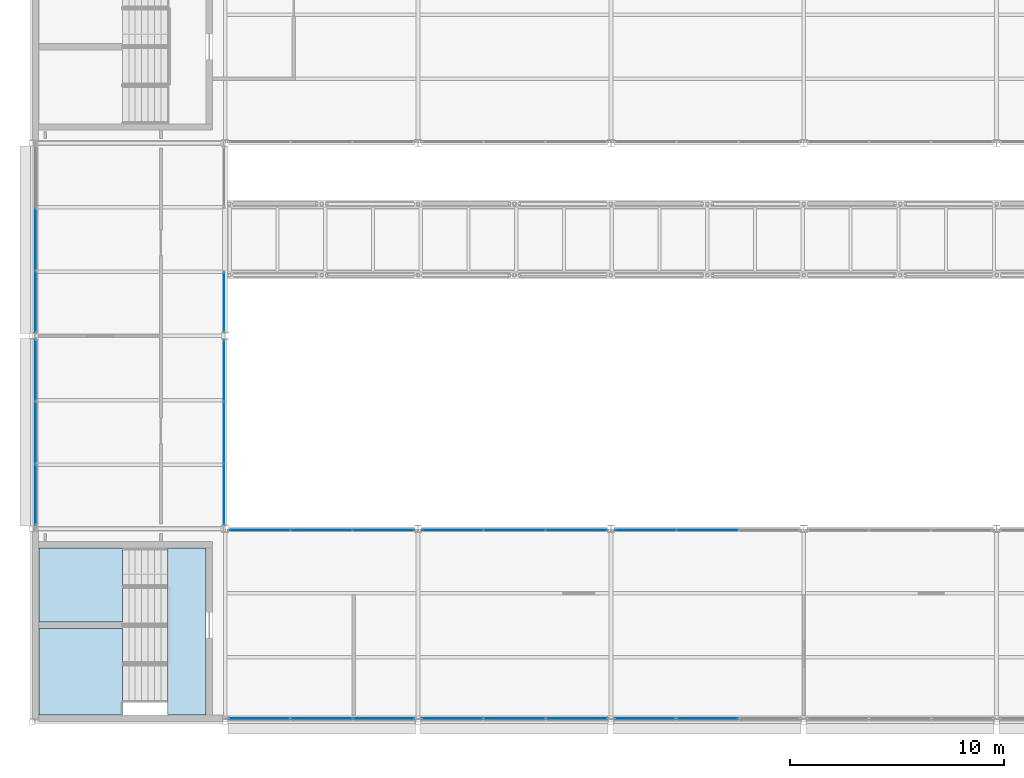
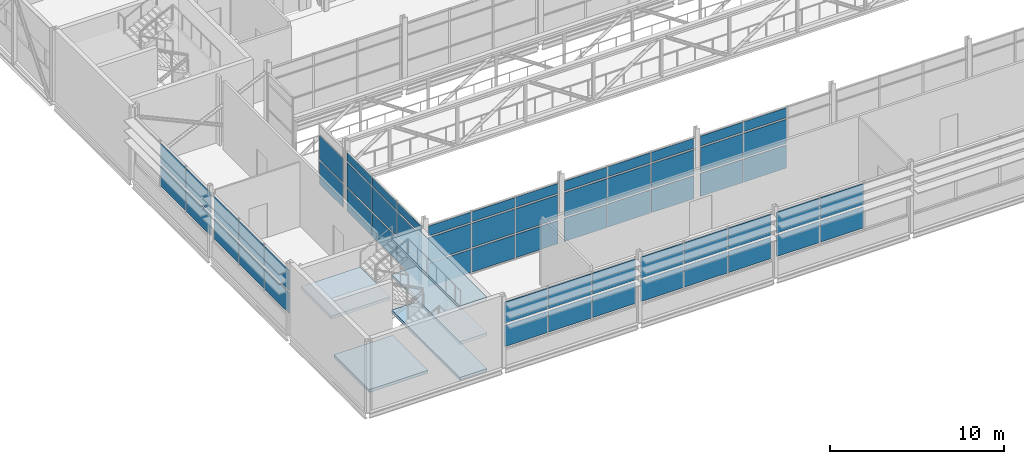
# One storey, part 71 of 94: 61 plates, 5 slabs, 11 elements without a shape of their own.
"""IFC4 building model written with IfcOpenShell, lengths in metres."""

from ifc_helpers import new_model, si_unit, direction, frame, origin, origin_2d, place, context, subcontext, project, spatial, polyline, rectangle, outline, extrude, material, layer, layer_set, type_object, element, aggregate, save


model = new_model("IFC4")

# Units and contexts
model_context = context("Model", 3, precision=1e-05, world=origin(), true_north=direction((0.0, 1.0)))
body_context = subcontext(model_context, "Body", "Model", "MODEL_VIEW")
ifc_project = project(units=[si_unit("LENGTHUNIT", "METRE"), si_unit("AREAUNIT", "SQUARE_METRE"), si_unit("VOLUMEUNIT", "CUBIC_METRE"), si_unit("PLANEANGLEUNIT", "RADIAN"), si_unit("MASSUNIT", "GRAM", prefix="KILO")], contexts=[model_context])

# Site, building, storey
site_placement = place(None, origin())
site = spatial("IfcSite", under=ifc_project, at=site_placement, CompositionType="ELEMENT")
building_placement = place(site_placement, origin())
building = spatial("IfcBuilding", under=site, at=building_placement, Name="Shorebreak Coast Museum", CompositionType="ELEMENT")
storey_placement = place(building_placement, frame((0.0, 0.0, 31.0)))
storey = spatial("IfcBuildingStorey", under=building, at=storey_placement, Name="L05", CompositionType="ELEMENT", Elevation=31.0)

# Curtain wall, plates
ifc_material_1 = material(Name="Aluminium", Category="aluminium")
ifc_layer_1 = layer(ifc_material_1, 0.1201171875)
ifc_layer_set_1 = layer_set([ifc_layer_1], Name="Aluminium")
curtain_wall_type_1 = type_object("IfcCurtainWallType", Name="Atrium fire screen", PredefinedType="NOTDEFINED", material=ifc_layer_set_1)
curtain_wall_1_placement = place(storey_placement, origin())
curtain_wall_1 = element("IfcCurtainWall", 1, at=curtain_wall_1_placement, inside=storey, type_object=curtain_wall_type_1, Name="Atrium screen L05 S 63", PredefinedType="NOTDEFINED")
ifc_material_2 = material(Name="Glass", Category="glass")
ifc_layer_2 = layer(ifc_material_2, 0.034912109375)
ifc_layer_set_2 = layer_set([ifc_layer_2], Name="Glass")
plate_type_1 = type_object("IfcPlateType", Name="Fire-resisting glass panel 35", PredefinedType="CURTAIN_PANEL", material=ifc_layer_set_2)
plate_1_placement = place(storey_placement, frame((64.61474609375, 62.93994140625, 0.119873046875), z_axis=(0.0, 0.0, 1.0), x_axis=(1.0, 0.0, 0.0)))
plate_1 = element("IfcPlate", 2, at=plate_1_placement, type_object=plate_type_1, Name="CW4 panel 1.1", PredefinedType="CURTAIN_PANEL", context=body_context, shape_type="SweptSolid", body=[
    extrude(rectangle(XDim=2.82275390625, YDim=0.034912109375, at=origin_2d()), origin(), (0.0, 0.0, 1.0), 1.6201171875),
])
plate_2_placement = place(storey_placement, frame((64.61474609375, 62.93994140625, 1.85986328125), z_axis=(0.0, 0.0, 1.0), x_axis=(1.0, 0.0, 0.0)))
plate_2 = element("IfcPlate", 3, at=plate_2_placement, type_object=plate_type_1, Name="CW4 panel 1.2", PredefinedType="CURTAIN_PANEL", context=body_context, shape_type="SweptSolid", body=[
    extrude(rectangle(XDim=2.82275390625, YDim=0.034912109375, at=origin_2d()), origin(), (0.0, 0.0, 1.0), 1.679931640625),
])
plate_3_placement = place(storey_placement, frame((64.61474609375, 62.93994140625, 3.659912109375), z_axis=(0.0, 0.0, 1.0), x_axis=(1.0, 0.0, 0.0)))
plate_3 = element("IfcPlate", 4, at=plate_3_placement, type_object=plate_type_1, Name="CW4 panel 1.3", PredefinedType="CURTAIN_PANEL", context=body_context, shape_type="SweptSolid", body=[
    extrude(rectangle(XDim=2.82275390625, YDim=0.034912109375, at=origin_2d()), origin(), (0.0, 0.0, 1.0), 0.689453125),
])
plate_4_placement = place(storey_placement, frame((67.5, 62.93994140625, 0.119873046875), z_axis=(0.0, 0.0, 1.0), x_axis=(1.0, 0.0, 0.0)))
plate_4 = element("IfcPlate", 5, at=plate_4_placement, type_object=plate_type_1, Name="CW4 panel 2.1", PredefinedType="CURTAIN_PANEL", context=body_context, shape_type="SweptSolid", body=[
    extrude(rectangle(XDim=2.84765625, YDim=0.034912109375, at=origin_2d()), origin(), (0.0, 0.0, 1.0), 1.6201171875),
])
plate_5_placement = place(storey_placement, frame((67.5, 62.93994140625, 1.85986328125), z_axis=(0.0, 0.0, 1.0), x_axis=(1.0, 0.0, 0.0)))
plate_5 = element("IfcPlate", 6, at=plate_5_placement, type_object=plate_type_1, Name="CW4 panel 2.2", PredefinedType="CURTAIN_PANEL", context=body_context, shape_type="SweptSolid", body=[
    extrude(rectangle(XDim=2.84765625, YDim=0.034912109375, at=origin_2d()), origin(), (0.0, 0.0, 1.0), 1.679931640625),
])
plate_6_placement = place(storey_placement, frame((67.5, 62.93994140625, 3.659912109375), z_axis=(0.0, 0.0, 1.0), x_axis=(1.0, 0.0, 0.0)))
plate_6 = element("IfcPlate", 7, at=plate_6_placement, type_object=plate_type_1, Name="CW4 panel 2.3", PredefinedType="CURTAIN_PANEL", context=body_context, shape_type="SweptSolid", body=[
    extrude(rectangle(XDim=2.84765625, YDim=0.034912109375, at=origin_2d()), origin(), (0.0, 0.0, 1.0), 0.689453125),
])
plate_7_placement = place(storey_placement, frame((70.38525390625, 62.93994140625, 0.119873046875), z_axis=(0.0, 0.0, 1.0), x_axis=(1.0, 0.0, 0.0)))
plate_7 = element("IfcPlate", 8, at=plate_7_placement, type_object=plate_type_1, Name="CW4 panel 3.1", PredefinedType="CURTAIN_PANEL", context=body_context, shape_type="SweptSolid", body=[
    extrude(rectangle(XDim=2.82275390625, YDim=0.034912109375, at=origin_2d()), origin(), (0.0, 0.0, 1.0), 1.6201171875),
])
plate_8_placement = place(storey_placement, frame((70.38525390625, 62.93994140625, 1.85986328125), z_axis=(0.0, 0.0, 1.0), x_axis=(1.0, 0.0, 0.0)))
plate_8 = element("IfcPlate", 9, at=plate_8_placement, type_object=plate_type_1, Name="CW4 panel 3.2", PredefinedType="CURTAIN_PANEL", context=body_context, shape_type="SweptSolid", body=[
    extrude(rectangle(XDim=2.82275390625, YDim=0.034912109375, at=origin_2d()), origin(), (0.0, 0.0, 1.0), 1.679931640625),
])
plate_9_placement = place(storey_placement, frame((70.38525390625, 62.93994140625, 3.659912109375), z_axis=(0.0, 0.0, 1.0), x_axis=(1.0, 0.0, 0.0)))
plate_9 = element("IfcPlate", 10, at=plate_9_placement, type_object=plate_type_1, Name="CW4 panel 3.3", PredefinedType="CURTAIN_PANEL", context=body_context, shape_type="SweptSolid", body=[
    extrude(rectangle(XDim=2.82275390625, YDim=0.034912109375, at=origin_2d()), origin(), (0.0, 0.0, 1.0), 0.689453125),
])
aggregate(curtain_wall_1, [plate_1, plate_2, plate_3, plate_4, plate_5, plate_6, plate_7, plate_8, plate_9])

curtain_wall_2_placement = place(storey_placement, origin())
curtain_wall_2 = element("IfcCurtainWall", 11, at=curtain_wall_2_placement, inside=storey, type_object=curtain_wall_type_1, Name="Atrium screen L05 S 64", PredefinedType="NOTDEFINED")
plate_10_placement = place(storey_placement, frame((73.61474609375, 62.93994140625, 0.119873046875), z_axis=(0.0, 0.0, 1.0), x_axis=(1.0, 0.0, 0.0)))
plate_10 = element("IfcPlate", 12, at=plate_10_placement, type_object=plate_type_1, Name="CW5 panel 1.1", PredefinedType="CURTAIN_PANEL", context=body_context, shape_type="SweptSolid", body=[
    extrude(rectangle(XDim=2.82275390625, YDim=0.034912109375, at=origin_2d()), origin(), (0.0, 0.0, 1.0), 1.6201171875),
])
plate_11_placement = place(storey_placement, frame((73.61474609375, 62.93994140625, 1.85986328125), z_axis=(0.0, 0.0, 1.0), x_axis=(1.0, 0.0, 0.0)))
plate_11 = element("IfcPlate", 13, at=plate_11_placement, type_object=plate_type_1, Name="CW5 panel 1.2", PredefinedType="CURTAIN_PANEL", context=body_context, shape_type="SweptSolid", body=[
    extrude(rectangle(XDim=2.82275390625, YDim=0.034912109375, at=origin_2d()), origin(), (0.0, 0.0, 1.0), 1.679931640625),
])
plate_12_placement = place(storey_placement, frame((73.61474609375, 62.93994140625, 3.659912109375), z_axis=(0.0, 0.0, 1.0), x_axis=(1.0, 0.0, 0.0)))
plate_12 = element("IfcPlate", 14, at=plate_12_placement, type_object=plate_type_1, Name="CW5 panel 1.3", PredefinedType="CURTAIN_PANEL", context=body_context, shape_type="SweptSolid", body=[
    extrude(rectangle(XDim=2.82275390625, YDim=0.034912109375, at=origin_2d()), origin(), (0.0, 0.0, 1.0), 0.689453125),
])
plate_13_placement = place(storey_placement, frame((76.5, 62.93994140625, 0.119873046875), z_axis=(0.0, 0.0, 1.0), x_axis=(1.0, 0.0, 0.0)))
plate_13 = element("IfcPlate", 15, at=plate_13_placement, type_object=plate_type_1, Name="CW5 panel 2.1", PredefinedType="CURTAIN_PANEL", context=body_context, shape_type="SweptSolid", body=[
    extrude(rectangle(XDim=2.84765625, YDim=0.034912109375, at=origin_2d()), origin(), (0.0, 0.0, 1.0), 1.6201171875),
])
plate_14_placement = place(storey_placement, frame((76.5, 62.93994140625, 1.85986328125), z_axis=(0.0, 0.0, 1.0), x_axis=(1.0, 0.0, 0.0)))
plate_14 = element("IfcPlate", 16, at=plate_14_placement, type_object=plate_type_1, Name="CW5 panel 2.2", PredefinedType="CURTAIN_PANEL", context=body_context, shape_type="SweptSolid", body=[
    extrude(rectangle(XDim=2.84765625, YDim=0.034912109375, at=origin_2d()), origin(), (0.0, 0.0, 1.0), 1.679931640625),
])
plate_15_placement = place(storey_placement, frame((76.5, 62.93994140625, 3.659912109375), z_axis=(0.0, 0.0, 1.0), x_axis=(1.0, 0.0, 0.0)))
plate_15 = element("IfcPlate", 17, at=plate_15_placement, type_object=plate_type_1, Name="CW5 panel 2.3", PredefinedType="CURTAIN_PANEL", context=body_context, shape_type="SweptSolid", body=[
    extrude(rectangle(XDim=2.84765625, YDim=0.034912109375, at=origin_2d()), origin(), (0.0, 0.0, 1.0), 0.689453125),
])
plate_16_placement = place(storey_placement, frame((79.38525390625, 62.93994140625, 0.119873046875), z_axis=(0.0, 0.0, 1.0), x_axis=(1.0, 0.0, 0.0)))
plate_16 = element("IfcPlate", 18, at=plate_16_placement, type_object=plate_type_1, Name="CW5 panel 3.1", PredefinedType="CURTAIN_PANEL", context=body_context, shape_type="SweptSolid", body=[
    extrude(rectangle(XDim=2.82275390625, YDim=0.034912109375, at=origin_2d()), origin(), (0.0, 0.0, 1.0), 1.6201171875),
])
plate_17_placement = place(storey_placement, frame((79.38525390625, 62.93994140625, 1.85986328125), z_axis=(0.0, 0.0, 1.0), x_axis=(1.0, 0.0, 0.0)))
plate_17 = element("IfcPlate", 19, at=plate_17_placement, type_object=plate_type_1, Name="CW5 panel 3.2", PredefinedType="CURTAIN_PANEL", context=body_context, shape_type="SweptSolid", body=[
    extrude(rectangle(XDim=2.82275390625, YDim=0.034912109375, at=origin_2d()), origin(), (0.0, 0.0, 1.0), 1.679931640625),
])
plate_18_placement = place(storey_placement, frame((79.38525390625, 62.93994140625, 3.659912109375), z_axis=(0.0, 0.0, 1.0), x_axis=(1.0, 0.0, 0.0)))
plate_18 = element("IfcPlate", 20, at=plate_18_placement, type_object=plate_type_1, Name="CW5 panel 3.3", PredefinedType="CURTAIN_PANEL", context=body_context, shape_type="SweptSolid", body=[
    extrude(rectangle(XDim=2.82275390625, YDim=0.034912109375, at=origin_2d()), origin(), (0.0, 0.0, 1.0), 0.689453125),
])
aggregate(curtain_wall_2, [plate_10, plate_11, plate_12, plate_13, plate_14, plate_15, plate_16, plate_17, plate_18])

curtain_wall_3_placement = place(storey_placement, origin())
curtain_wall_3 = element("IfcCurtainWall", 21, at=curtain_wall_3_placement, inside=storey, type_object=curtain_wall_type_1, Name="Atrium screen L05 S 65", PredefinedType="NOTDEFINED")
plate_19_placement = place(storey_placement, frame((82.61474609375, 62.93994140625, 0.119873046875), z_axis=(0.0, 0.0, 1.0), x_axis=(1.0, 0.0, 0.0)))
plate_19 = element("IfcPlate", 22, at=plate_19_placement, type_object=plate_type_1, Name="CW6 panel 1.1", PredefinedType="CURTAIN_PANEL", context=body_context, shape_type="SweptSolid", body=[
    extrude(rectangle(XDim=2.82275390625, YDim=0.034912109375, at=origin_2d()), origin(), (0.0, 0.0, 1.0), 1.6201171875),
])
plate_20_placement = place(storey_placement, frame((82.61474609375, 62.93994140625, 1.85986328125), z_axis=(0.0, 0.0, 1.0), x_axis=(1.0, 0.0, 0.0)))
plate_20 = element("IfcPlate", 23, at=plate_20_placement, type_object=plate_type_1, Name="CW6 panel 1.2", PredefinedType="CURTAIN_PANEL", context=body_context, shape_type="SweptSolid", body=[
    extrude(rectangle(XDim=2.82275390625, YDim=0.034912109375, at=origin_2d()), origin(), (0.0, 0.0, 1.0), 1.679931640625),
])
plate_21_placement = place(storey_placement, frame((82.61474609375, 62.93994140625, 3.659912109375), z_axis=(0.0, 0.0, 1.0), x_axis=(1.0, 0.0, 0.0)))
plate_21 = element("IfcPlate", 24, at=plate_21_placement, type_object=plate_type_1, Name="CW6 panel 1.3", PredefinedType="CURTAIN_PANEL", context=body_context, shape_type="SweptSolid", body=[
    extrude(rectangle(XDim=2.82275390625, YDim=0.034912109375, at=origin_2d()), origin(), (0.0, 0.0, 1.0), 0.689453125),
])
plate_22_placement = place(storey_placement, frame((85.5, 62.93994140625, 0.119873046875), z_axis=(0.0, 0.0, 1.0), x_axis=(1.0, 0.0, 0.0)))
plate_22 = element("IfcPlate", 25, at=plate_22_placement, type_object=plate_type_1, Name="CW6 panel 2.1", PredefinedType="CURTAIN_PANEL", context=body_context, shape_type="SweptSolid", body=[
    extrude(rectangle(XDim=2.84765625, YDim=0.034912109375, at=origin_2d()), origin(), (0.0, 0.0, 1.0), 1.6201171875),
])
plate_23_placement = place(storey_placement, frame((85.5, 62.93994140625, 1.85986328125), z_axis=(0.0, 0.0, 1.0), x_axis=(1.0, 0.0, 0.0)))
plate_23 = element("IfcPlate", 26, at=plate_23_placement, type_object=plate_type_1, Name="CW6 panel 2.2", PredefinedType="CURTAIN_PANEL", context=body_context, shape_type="SweptSolid", body=[
    extrude(rectangle(XDim=2.84765625, YDim=0.034912109375, at=origin_2d()), origin(), (0.0, 0.0, 1.0), 1.679931640625),
])
plate_24_placement = place(storey_placement, frame((85.5, 62.93994140625, 3.659912109375), z_axis=(0.0, 0.0, 1.0), x_axis=(1.0, 0.0, 0.0)))
plate_24 = element("IfcPlate", 27, at=plate_24_placement, type_object=plate_type_1, Name="CW6 panel 2.3", PredefinedType="CURTAIN_PANEL", context=body_context, shape_type="SweptSolid", body=[
    extrude(rectangle(XDim=2.84765625, YDim=0.034912109375, at=origin_2d()), origin(), (0.0, 0.0, 1.0), 0.689453125),
])
aggregate(curtain_wall_3, [plate_19, plate_20, plate_21, plate_22, plate_23, plate_24])

curtain_wall_4_placement = place(storey_placement, origin())
curtain_wall_4 = element("IfcCurtainWall", 28, at=curtain_wall_4_placement, inside=storey, type_object=curtain_wall_type_1, Name="Atrium screen L05 W 73", PredefinedType="NOTDEFINED")
plate_25_placement = place(storey_placement, frame((62.93994140625, 64.6162109375, 0.119873046875), z_axis=(0.0, 0.0, 1.0), x_axis=(0.0, 1.0, 0.0)))
plate_25 = element("IfcPlate", 29, at=plate_25_placement, type_object=plate_type_1, Name="CW5 panel 1.1", PredefinedType="CURTAIN_PANEL", context=body_context, shape_type="SweptSolid", body=[
    extrude(rectangle(XDim=2.818115234375, YDim=0.034912109375, at=origin_2d()), origin(), (0.0, 0.0, 1.0), 1.6201171875),
])
plate_26_placement = place(storey_placement, frame((62.93994140625, 64.6162109375, 1.85986328125), z_axis=(0.0, 0.0, 1.0), x_axis=(0.0, 1.0, 0.0)))
plate_26 = element("IfcPlate", 30, at=plate_26_placement, type_object=plate_type_1, Name="CW5 panel 1.2", PredefinedType="CURTAIN_PANEL", context=body_context, shape_type="SweptSolid", body=[
    extrude(rectangle(XDim=2.818115234375, YDim=0.034912109375, at=origin_2d()), origin(), (0.0, 0.0, 1.0), 1.679931640625),
])
plate_27_placement = place(storey_placement, frame((62.93994140625, 64.6162109375, 3.66015625), z_axis=(0.0, 0.0, 1.0), x_axis=(0.0, 1.0, 0.0)))
plate_27 = element("IfcPlate", 31, at=plate_27_placement, type_object=plate_type_1, Name="CW5 panel 1.3", PredefinedType="CURTAIN_PANEL", context=body_context, shape_type="SweptSolid", body=[
    extrude(rectangle(XDim=2.818115234375, YDim=0.034912109375, at=origin_2d()), origin(), (0.0, 0.0, 1.0), 0.584716796875),
])
plate_28_placement = place(storey_placement, frame((62.93994140625, 67.496826171875, 0.119873046875), z_axis=(0.0, 0.0, 1.0), x_axis=(0.0, 1.0, 0.0)))
plate_28 = element("IfcPlate", 32, at=plate_28_placement, type_object=plate_type_1, Name="CW5 panel 2.1", PredefinedType="CURTAIN_PANEL", context=body_context, shape_type="SweptSolid", body=[
    extrude(rectangle(XDim=2.843017578125, YDim=0.034912109375, at=origin_2d()), origin(), (0.0, 0.0, 1.0), 1.6201171875),
])
plate_29_placement = place(storey_placement, frame((62.93994140625, 67.496826171875, 1.85986328125), z_axis=(0.0, 0.0, 1.0), x_axis=(0.0, 1.0, 0.0)))
plate_29 = element("IfcPlate", 33, at=plate_29_placement, type_object=plate_type_1, Name="CW5 panel 2.2", PredefinedType="CURTAIN_PANEL", context=body_context, shape_type="SweptSolid", body=[
    extrude(rectangle(XDim=2.843017578125, YDim=0.034912109375, at=origin_2d()), origin(), (0.0, 0.0, 1.0), 1.679931640625),
])
plate_30_placement = place(storey_placement, frame((62.93994140625, 67.496826171875, 3.66015625), z_axis=(0.0, 0.0, 1.0), x_axis=(0.0, 1.0, 0.0)))
plate_30 = element("IfcPlate", 34, at=plate_30_placement, type_object=plate_type_1, Name="CW5 panel 2.3", PredefinedType="CURTAIN_PANEL", context=body_context, shape_type="SweptSolid", body=[
    extrude(rectangle(XDim=2.843017578125, YDim=0.034912109375, at=origin_2d()), origin(), (0.0, 0.0, 1.0), 0.584716796875),
])
plate_31_placement = place(storey_placement, frame((62.93994140625, 70.37744140625, 0.119873046875), z_axis=(0.0, 0.0, 1.0), x_axis=(0.0, 1.0, 0.0)))
plate_31 = element("IfcPlate", 35, at=plate_31_placement, type_object=plate_type_1, Name="CW5 panel 3.1", PredefinedType="CURTAIN_PANEL", context=body_context, shape_type="SweptSolid", body=[
    extrude(rectangle(XDim=2.818115234375, YDim=0.034912109375, at=origin_2d()), origin(), (0.0, 0.0, 1.0), 1.6201171875),
])
plate_32_placement = place(storey_placement, frame((62.93994140625, 70.37744140625, 1.85986328125), z_axis=(0.0, 0.0, 1.0), x_axis=(0.0, 1.0, 0.0)))
plate_32 = element("IfcPlate", 36, at=plate_32_placement, type_object=plate_type_1, Name="CW5 panel 3.2", PredefinedType="CURTAIN_PANEL", context=body_context, shape_type="SweptSolid", body=[
    extrude(rectangle(XDim=2.818115234375, YDim=0.034912109375, at=origin_2d()), origin(), (0.0, 0.0, 1.0), 1.679931640625),
])
plate_33_placement = place(storey_placement, frame((62.93994140625, 70.37744140625, 3.66015625), z_axis=(0.0, 0.0, 1.0), x_axis=(0.0, 1.0, 0.0)))
plate_33 = element("IfcPlate", 37, at=plate_33_placement, type_object=plate_type_1, Name="CW5 panel 3.3", PredefinedType="CURTAIN_PANEL", context=body_context, shape_type="SweptSolid", body=[
    extrude(rectangle(XDim=2.818115234375, YDim=0.034912109375, at=origin_2d()), origin(), (0.0, 0.0, 1.0), 0.584716796875),
])
aggregate(curtain_wall_4, [plate_25, plate_26, plate_27, plate_28, plate_29, plate_30, plate_31, plate_32, plate_33])

curtain_wall_5_placement = place(storey_placement, origin())
curtain_wall_5 = element("IfcCurtainWall", 38, at=curtain_wall_5_placement, inside=storey, type_object=curtain_wall_type_1, Name="Atrium screen L05 W 74", PredefinedType="NOTDEFINED")
plate_34_placement = place(storey_placement, frame((62.93994140625, 73.581787109375, 0.119873046875), z_axis=(0.0, 0.0, 1.0), x_axis=(0.0, 1.0, 0.0)))
plate_34 = element("IfcPlate", 39, at=plate_34_placement, type_object=plate_type_1, Name="CW6 panel 1.1", PredefinedType="CURTAIN_PANEL", context=body_context, shape_type="SweptSolid", body=[
    extrude(rectangle(XDim=2.736328125, YDim=0.034912109375, at=origin_2d()), origin(), (0.0, 0.0, 1.0), 1.6201171875),
])
plate_35_placement = place(storey_placement, frame((62.93994140625, 73.581787109375, 1.85986328125), z_axis=(0.0, 0.0, 1.0), x_axis=(0.0, 1.0, 0.0)))
plate_35 = element("IfcPlate", 40, at=plate_35_placement, type_object=plate_type_1, Name="CW6 panel 1.2", PredefinedType="CURTAIN_PANEL", context=body_context, shape_type="SweptSolid", body=[
    extrude(rectangle(XDim=2.736328125, YDim=0.034912109375, at=origin_2d()), origin(), (0.0, 0.0, 1.0), 1.679931640625),
])
aggregate(curtain_wall_5, [plate_34, plate_35])

# Stair, slabs
ifc_material_3 = material(Name="Concrete N40 (40 MPa)", Category="concrete")
stair_type = type_object("IfcStairType", Name="Stair run 5 m", PredefinedType="DOUBLE_RETURN_STAIR", material=ifc_material_3)
stair_placement = place(storey_placement, origin())
stair = element("IfcStair", 41, at=stair_placement, inside=storey, type_object=stair_type, Name="Exit stair ST01-L05", PredefinedType="DOUBLE_RETURN_STAIR")
ifc_material_4 = material(Name="Concrete N40 (40 MPa)", Category="concrete")
ifc_layer_3 = layer(ifc_material_4, 0.199951171875)
ifc_layer_set_3 = layer_set([ifc_layer_3], Name="Concrete N40 (40 MPa)")
slab_type = type_object("IfcSlabType", Name="Stair landing 200", PredefinedType="LANDING", material=ifc_layer_set_3)
slab_1_placement = place(storey_placement, frame((0.0, 0.0, -0.199951171875)))
slab_1 = element("IfcSlab", 42, at=slab_1_placement, type_object=slab_type, Name="ST01-L05 landing 1", PredefinedType="LANDING", context=body_context, shape_type="SweptSolid", body=[
    extrude(outline(polyline([(60.300048828125, 54.300048828125), (62.10009765625, 54.300048828125), (62.10009765625, 62.10009765625), (60.300048828125, 62.10009765625), (60.300048828125, 54.300048828125)])), origin(), (0.0, 0.0, 1.0), 0.199951171875),
])
slab_2_placement = place(storey_placement, frame((0.0, 0.0, 2.300048828125)))
slab_2 = element("IfcSlab", 43, at=slab_2_placement, type_object=slab_type, Name="ST01-L05 landing 2", PredefinedType="LANDING", context=body_context, shape_type="SweptSolid", body=[
    extrude(outline(polyline([(60.300048828125, 54.300048828125), (62.10009765625, 54.300048828125), (62.10009765625, 62.10009765625), (60.300048828125, 62.10009765625), (60.300048828125, 54.300048828125)])), origin(), (0.0, 0.0, 1.0), 0.199951171875),
])
slab_3_placement = place(storey_placement, frame((0.0, 0.0, 1.050048828125)))
slab_3 = element("IfcSlab", 44, at=slab_3_placement, type_object=slab_type, Name="ST01-L05 landing 3", PredefinedType="LANDING", context=body_context, shape_type="SweptSolid", body=[
    extrude(outline(polyline([(54.300048828125, 54.300048828125), (58.199951171875, 54.300048828125), (58.199951171875, 58.35009765625), (54.300048828125, 58.35009765625), (54.300048828125, 54.300048828125)])), origin(), (0.0, 0.0, 1.0), 0.199951171875),
])
slab_4_placement = place(storey_placement, frame((0.0, 0.0, 3.550048828125)))
slab_4 = element("IfcSlab", 45, at=slab_4_placement, type_object=slab_type, Name="ST01-L05 landing 4", PredefinedType="LANDING", context=body_context, shape_type="SweptSolid", body=[
    extrude(outline(polyline([(54.300048828125, 58.64990234375), (58.199951171875, 58.64990234375), (58.199951171875, 62.10009765625), (54.300048828125, 62.10009765625), (54.300048828125, 58.64990234375)])), origin(), (0.0, 0.0, 1.0), 0.199951171875),
])
slab_5_placement = place(storey_placement, frame((0.0, 0.0, 4.800048828125)))
slab_5 = element("IfcSlab", 46, at=slab_5_placement, type_object=slab_type, Name="ST01-L05 landing 5", PredefinedType="LANDING", context=body_context, shape_type="SweptSolid", body=[
    extrude(outline(polyline([(60.300048828125, 54.300048828125), (62.10009765625, 54.300048828125), (62.10009765625, 62.10009765625), (60.300048828125, 62.10009765625), (60.300048828125, 54.300048828125)])), origin(), (0.0, 0.0, 1.0), 0.199951171875),
])
aggregate(stair, [slab_1, slab_2, slab_3, slab_4, slab_5])

# Curtain wall, plates
ifc_material_5 = material(Name="Aluminium", Category="aluminium")
ifc_layer_4 = layer(ifc_material_5, 0.14990234375)
ifc_layer_set_4 = layer_set([ifc_layer_4], Name="Aluminium")
curtain_wall_type_2 = type_object("IfcCurtainWallType", Name="Storefront curtain wall", PredefinedType="NOTDEFINED", material=ifc_layer_set_4)
curtain_wall_6_placement = place(storey_placement, origin())
curtain_wall_6 = element("IfcCurtainWall", 47, at=curtain_wall_6_placement, inside=storey, type_object=curtain_wall_type_2, Name="Atrium Hall glazing L05 S 13", PredefinedType="NOTDEFINED")
ifc_material_6 = material(Name="Glass", Category="glass")
ifc_layer_5 = layer(ifc_material_6, 0.031982421875)
ifc_layer_set_5 = layer_set([ifc_layer_5], Name="Glass")
plate_type_2 = type_object("IfcPlateType", Name="Storefront glass panel 32", PredefinedType="CURTAIN_PANEL", material=ifc_layer_set_5)
plate_36_placement = place(storey_placement, frame((64.595947265625, 54.14990234375, 1.25), z_axis=(0.0, 0.0, 1.0), x_axis=(1.0, 0.0, 0.0)))
plate_36 = element("IfcPlate", 48, at=plate_36_placement, type_object=plate_type_2, Name="CW5 panel 1.1", PredefinedType="CURTAIN_PANEL", context=body_context, shape_type="SweptSolid", body=[
    extrude(rectangle(XDim=2.841552734375, YDim=0.031982421875, at=origin_2d()), origin(), (0.0, 0.0, 1.0), 1.48388671875),
])
plate_37_placement = place(storey_placement, frame((64.595947265625, 54.14990234375, 2.8837890625), z_axis=(0.0, 0.0, 1.0), x_axis=(1.0, 0.0, 0.0)))
plate_37 = element("IfcPlate", 49, at=plate_37_placement, type_object=plate_type_2, Name="CW5 panel 1.2", PredefinedType="CURTAIN_PANEL", context=body_context, shape_type="SweptSolid", body=[
    extrude(rectangle(XDim=2.841552734375, YDim=0.031982421875, at=origin_2d()), origin(), (0.0, 0.0, 1.0), 1.48388671875),
])
plate_38_placement = place(storey_placement, frame((67.5, 54.14990234375, 1.25), z_axis=(0.0, 0.0, 1.0), x_axis=(1.0, 0.0, 0.0)))
plate_38 = element("IfcPlate", 50, at=plate_38_placement, type_object=plate_type_2, Name="CW5 panel 2.1", PredefinedType="CURTAIN_PANEL", context=body_context, shape_type="SweptSolid", body=[
    extrude(rectangle(XDim=2.86669921875, YDim=0.031982421875, at=origin_2d()), origin(), (0.0, 0.0, 1.0), 1.48388671875),
])
plate_39_placement = place(storey_placement, frame((67.5, 54.14990234375, 2.8837890625), z_axis=(0.0, 0.0, 1.0), x_axis=(1.0, 0.0, 0.0)))
plate_39 = element("IfcPlate", 51, at=plate_39_placement, type_object=plate_type_2, Name="CW5 panel 2.2", PredefinedType="CURTAIN_PANEL", context=body_context, shape_type="SweptSolid", body=[
    extrude(rectangle(XDim=2.86669921875, YDim=0.031982421875, at=origin_2d()), origin(), (0.0, 0.0, 1.0), 1.48388671875),
])
plate_40_placement = place(storey_placement, frame((70.404052734375, 54.14990234375, 1.25), z_axis=(0.0, 0.0, 1.0), x_axis=(1.0, 0.0, 0.0)))
plate_40 = element("IfcPlate", 52, at=plate_40_placement, type_object=plate_type_2, Name="CW5 panel 3.1", PredefinedType="CURTAIN_PANEL", context=body_context, shape_type="SweptSolid", body=[
    extrude(rectangle(XDim=2.841552734375, YDim=0.031982421875, at=origin_2d()), origin(), (0.0, 0.0, 1.0), 1.48388671875),
])
plate_41_placement = place(storey_placement, frame((70.404052734375, 54.14990234375, 2.8837890625), z_axis=(0.0, 0.0, 1.0), x_axis=(1.0, 0.0, 0.0)))
plate_41 = element("IfcPlate", 53, at=plate_41_placement, type_object=plate_type_2, Name="CW5 panel 3.2", PredefinedType="CURTAIN_PANEL", context=body_context, shape_type="SweptSolid", body=[
    extrude(rectangle(XDim=2.841552734375, YDim=0.031982421875, at=origin_2d()), origin(), (0.0, 0.0, 1.0), 1.48388671875),
])
aggregate(curtain_wall_6, [plate_36, plate_37, plate_38, plate_39, plate_40, plate_41])

curtain_wall_7_placement = place(storey_placement, origin())
curtain_wall_7 = element("IfcCurtainWall", 54, at=curtain_wall_7_placement, inside=storey, type_object=curtain_wall_type_2, Name="Atrium Hall glazing L05 S 14", PredefinedType="NOTDEFINED")
plate_42_placement = place(storey_placement, frame((73.595947265625, 54.14990234375, 1.25), z_axis=(0.0, 0.0, 1.0), x_axis=(1.0, 0.0, 0.0)))
plate_42 = element("IfcPlate", 55, at=plate_42_placement, type_object=plate_type_2, Name="CW5 panel 1.1", PredefinedType="CURTAIN_PANEL", context=body_context, shape_type="SweptSolid", body=[
    extrude(rectangle(XDim=2.841552734375, YDim=0.031982421875, at=origin_2d()), origin(), (0.0, 0.0, 1.0), 1.48388671875),
])
plate_43_placement = place(storey_placement, frame((73.595947265625, 54.14990234375, 2.8837890625), z_axis=(0.0, 0.0, 1.0), x_axis=(1.0, 0.0, 0.0)))
plate_43 = element("IfcPlate", 56, at=plate_43_placement, type_object=plate_type_2, Name="CW5 panel 1.2", PredefinedType="CURTAIN_PANEL", context=body_context, shape_type="SweptSolid", body=[
    extrude(rectangle(XDim=2.841552734375, YDim=0.031982421875, at=origin_2d()), origin(), (0.0, 0.0, 1.0), 1.48388671875),
])
plate_44_placement = place(storey_placement, frame((76.5, 54.14990234375, 1.25), z_axis=(0.0, 0.0, 1.0), x_axis=(1.0, 0.0, 0.0)))
plate_44 = element("IfcPlate", 57, at=plate_44_placement, type_object=plate_type_2, Name="CW5 panel 2.1", PredefinedType="CURTAIN_PANEL", context=body_context, shape_type="SweptSolid", body=[
    extrude(rectangle(XDim=2.86669921875, YDim=0.031982421875, at=origin_2d()), origin(), (0.0, 0.0, 1.0), 1.48388671875),
])
plate_45_placement = place(storey_placement, frame((76.5, 54.14990234375, 2.8837890625), z_axis=(0.0, 0.0, 1.0), x_axis=(1.0, 0.0, 0.0)))
plate_45 = element("IfcPlate", 58, at=plate_45_placement, type_object=plate_type_2, Name="CW5 panel 2.2", PredefinedType="CURTAIN_PANEL", context=body_context, shape_type="SweptSolid", body=[
    extrude(rectangle(XDim=2.86669921875, YDim=0.031982421875, at=origin_2d()), origin(), (0.0, 0.0, 1.0), 1.48388671875),
])
plate_46_placement = place(storey_placement, frame((79.404052734375, 54.14990234375, 1.25), z_axis=(0.0, 0.0, 1.0), x_axis=(1.0, 0.0, 0.0)))
plate_46 = element("IfcPlate", 59, at=plate_46_placement, type_object=plate_type_2, Name="CW5 panel 3.1", PredefinedType="CURTAIN_PANEL", context=body_context, shape_type="SweptSolid", body=[
    extrude(rectangle(XDim=2.841552734375, YDim=0.031982421875, at=origin_2d()), origin(), (0.0, 0.0, 1.0), 1.48388671875),
])
plate_47_placement = place(storey_placement, frame((79.404052734375, 54.14990234375, 2.8837890625), z_axis=(0.0, 0.0, 1.0), x_axis=(1.0, 0.0, 0.0)))
plate_47 = element("IfcPlate", 60, at=plate_47_placement, type_object=plate_type_2, Name="CW5 panel 3.2", PredefinedType="CURTAIN_PANEL", context=body_context, shape_type="SweptSolid", body=[
    extrude(rectangle(XDim=2.841552734375, YDim=0.031982421875, at=origin_2d()), origin(), (0.0, 0.0, 1.0), 1.48388671875),
])
aggregate(curtain_wall_7, [plate_42, plate_43, plate_44, plate_45, plate_46, plate_47])

curtain_wall_8_placement = place(storey_placement, origin())
curtain_wall_8 = element("IfcCurtainWall", 61, at=curtain_wall_8_placement, inside=storey, type_object=curtain_wall_type_2, Name="Atrium Hall glazing L05 S 15", PredefinedType="NOTDEFINED")
plate_48_placement = place(storey_placement, frame((82.595947265625, 54.14990234375, 1.25), z_axis=(0.0, 0.0, 1.0), x_axis=(1.0, 0.0, 0.0)))
plate_48 = element("IfcPlate", 62, at=plate_48_placement, type_object=plate_type_2, Name="CW5 panel 1.1", PredefinedType="CURTAIN_PANEL", context=body_context, shape_type="SweptSolid", body=[
    extrude(rectangle(XDim=2.841552734375, YDim=0.031982421875, at=origin_2d()), origin(), (0.0, 0.0, 1.0), 1.48388671875),
])
plate_49_placement = place(storey_placement, frame((82.595947265625, 54.14990234375, 2.8837890625), z_axis=(0.0, 0.0, 1.0), x_axis=(1.0, 0.0, 0.0)))
plate_49 = element("IfcPlate", 63, at=plate_49_placement, type_object=plate_type_2, Name="CW5 panel 1.2", PredefinedType="CURTAIN_PANEL", context=body_context, shape_type="SweptSolid", body=[
    extrude(rectangle(XDim=2.841552734375, YDim=0.031982421875, at=origin_2d()), origin(), (0.0, 0.0, 1.0), 1.48388671875),
])
plate_50_placement = place(storey_placement, frame((85.5, 54.14990234375, 1.25), z_axis=(0.0, 0.0, 1.0), x_axis=(1.0, 0.0, 0.0)))
plate_50 = element("IfcPlate", 64, at=plate_50_placement, type_object=plate_type_2, Name="CW5 panel 2.1", PredefinedType="CURTAIN_PANEL", context=body_context, shape_type="SweptSolid", body=[
    extrude(rectangle(XDim=2.86669921875, YDim=0.031982421875, at=origin_2d()), origin(), (0.0, 0.0, 1.0), 1.48388671875),
])
plate_51_placement = place(storey_placement, frame((85.5, 54.14990234375, 2.8837890625), z_axis=(0.0, 0.0, 1.0), x_axis=(1.0, 0.0, 0.0)))
plate_51 = element("IfcPlate", 65, at=plate_51_placement, type_object=plate_type_2, Name="CW5 panel 2.2", PredefinedType="CURTAIN_PANEL", context=body_context, shape_type="SweptSolid", body=[
    extrude(rectangle(XDim=2.86669921875, YDim=0.031982421875, at=origin_2d()), origin(), (0.0, 0.0, 1.0), 1.48388671875),
])
aggregate(curtain_wall_8, [plate_48, plate_49, plate_50, plate_51])

curtain_wall_9_placement = place(storey_placement, origin())
curtain_wall_9 = element("IfcCurtainWall", 66, at=curtain_wall_9_placement, inside=storey, type_object=curtain_wall_type_2, Name="Atrium Hall glazing L05 W 18", PredefinedType="NOTDEFINED")
plate_52_placement = place(storey_placement, frame((54.14990234375, 64.595947265625, 1.25), z_axis=(0.0, 0.0, 1.0), x_axis=(0.0, 1.0, 0.0)))
plate_52 = element("IfcPlate", 67, at=plate_52_placement, type_object=plate_type_2, Name="CW5 panel 1.1", PredefinedType="CURTAIN_PANEL", context=body_context, shape_type="SweptSolid", body=[
    extrude(rectangle(XDim=2.841552734375, YDim=0.031982421875, at=origin_2d()), origin(), (0.0, 0.0, 1.0), 1.434326171875),
])
plate_53_placement = place(storey_placement, frame((54.14990234375, 64.595947265625, 2.83447265625), z_axis=(0.0, 0.0, 1.0), x_axis=(0.0, 1.0, 0.0)))
plate_53 = element("IfcPlate", 68, at=plate_53_placement, type_object=plate_type_2, Name="CW5 panel 1.2", PredefinedType="CURTAIN_PANEL", context=body_context, shape_type="SweptSolid", body=[
    extrude(rectangle(XDim=2.841552734375, YDim=0.031982421875, at=origin_2d()), origin(), (0.0, 0.0, 1.0), 1.434326171875),
])
plate_54_placement = place(storey_placement, frame((54.14990234375, 67.5, 1.25), z_axis=(0.0, 0.0, 1.0), x_axis=(0.0, 1.0, 0.0)))
plate_54 = element("IfcPlate", 69, at=plate_54_placement, type_object=plate_type_2, Name="CW5 panel 2.1", PredefinedType="CURTAIN_PANEL", context=body_context, shape_type="SweptSolid", body=[
    extrude(rectangle(XDim=2.86669921875, YDim=0.031982421875, at=origin_2d()), origin(), (0.0, 0.0, 1.0), 1.434326171875),
])
plate_55_placement = place(storey_placement, frame((54.14990234375, 67.5, 2.83447265625), z_axis=(0.0, 0.0, 1.0), x_axis=(0.0, 1.0, 0.0)))
plate_55 = element("IfcPlate", 70, at=plate_55_placement, type_object=plate_type_2, Name="CW5 panel 2.2", PredefinedType="CURTAIN_PANEL", context=body_context, shape_type="SweptSolid", body=[
    extrude(rectangle(XDim=2.86669921875, YDim=0.031982421875, at=origin_2d()), origin(), (0.0, 0.0, 1.0), 1.434326171875),
])
plate_56_placement = place(storey_placement, frame((54.14990234375, 70.404052734375, 1.25), z_axis=(0.0, 0.0, 1.0), x_axis=(0.0, 1.0, 0.0)))
plate_56 = element("IfcPlate", 71, at=plate_56_placement, type_object=plate_type_2, Name="CW5 panel 3.1", PredefinedType="CURTAIN_PANEL", context=body_context, shape_type="SweptSolid", body=[
    extrude(rectangle(XDim=2.841552734375, YDim=0.031982421875, at=origin_2d()), origin(), (0.0, 0.0, 1.0), 1.434326171875),
])
plate_57_placement = place(storey_placement, frame((54.14990234375, 70.404052734375, 2.83447265625), z_axis=(0.0, 0.0, 1.0), x_axis=(0.0, 1.0, 0.0)))
plate_57 = element("IfcPlate", 72, at=plate_57_placement, type_object=plate_type_2, Name="CW5 panel 3.2", PredefinedType="CURTAIN_PANEL", context=body_context, shape_type="SweptSolid", body=[
    extrude(rectangle(XDim=2.841552734375, YDim=0.031982421875, at=origin_2d()), origin(), (0.0, 0.0, 1.0), 1.434326171875),
])
aggregate(curtain_wall_9, [plate_52, plate_53, plate_54, plate_55, plate_56, plate_57])

curtain_wall_10_placement = place(storey_placement, origin())
curtain_wall_10 = element("IfcCurtainWall", 73, at=curtain_wall_10_placement, inside=storey, type_object=curtain_wall_type_2, Name="Atrium Hall glazing L05 W 19", PredefinedType="NOTDEFINED")
plate_58_placement = place(storey_placement, frame((54.14990234375, 73.595947265625, 1.25), z_axis=(0.0, 0.0, 1.0), x_axis=(0.0, 1.0, 0.0)))
plate_58 = element("IfcPlate", 74, at=plate_58_placement, type_object=plate_type_2, Name="CW5 panel 1.1", PredefinedType="CURTAIN_PANEL", context=body_context, shape_type="SweptSolid", body=[
    extrude(rectangle(XDim=2.841552734375, YDim=0.031982421875, at=origin_2d()), origin(), (0.0, 0.0, 1.0), 1.434326171875),
])
plate_59_placement = place(storey_placement, frame((54.14990234375, 73.595947265625, 2.83447265625), z_axis=(0.0, 0.0, 1.0), x_axis=(0.0, 1.0, 0.0)))
plate_59 = element("IfcPlate", 75, at=plate_59_placement, type_object=plate_type_2, Name="CW5 panel 1.2", PredefinedType="CURTAIN_PANEL", context=body_context, shape_type="SweptSolid", body=[
    extrude(rectangle(XDim=2.841552734375, YDim=0.031982421875, at=origin_2d()), origin(), (0.0, 0.0, 1.0), 1.434326171875),
])
plate_60_placement = place(storey_placement, frame((54.14990234375, 76.5, 1.25), z_axis=(0.0, 0.0, 1.0), x_axis=(0.0, 1.0, 0.0)))
plate_60 = element("IfcPlate", 76, at=plate_60_placement, type_object=plate_type_2, Name="CW5 panel 2.1", PredefinedType="CURTAIN_PANEL", context=body_context, shape_type="SweptSolid", body=[
    extrude(rectangle(XDim=2.86669921875, YDim=0.031982421875, at=origin_2d()), origin(), (0.0, 0.0, 1.0), 1.434326171875),
])
plate_61_placement = place(storey_placement, frame((54.14990234375, 76.5, 2.83447265625), z_axis=(0.0, 0.0, 1.0), x_axis=(0.0, 1.0, 0.0)))
plate_61 = element("IfcPlate", 77, at=plate_61_placement, type_object=plate_type_2, Name="CW5 panel 2.2", PredefinedType="CURTAIN_PANEL", context=body_context, shape_type="SweptSolid", body=[
    extrude(rectangle(XDim=2.86669921875, YDim=0.031982421875, at=origin_2d()), origin(), (0.0, 0.0, 1.0), 1.434326171875),
])
aggregate(curtain_wall_10, [plate_58, plate_59, plate_60, plate_61])

save(model, "model.ifc")
